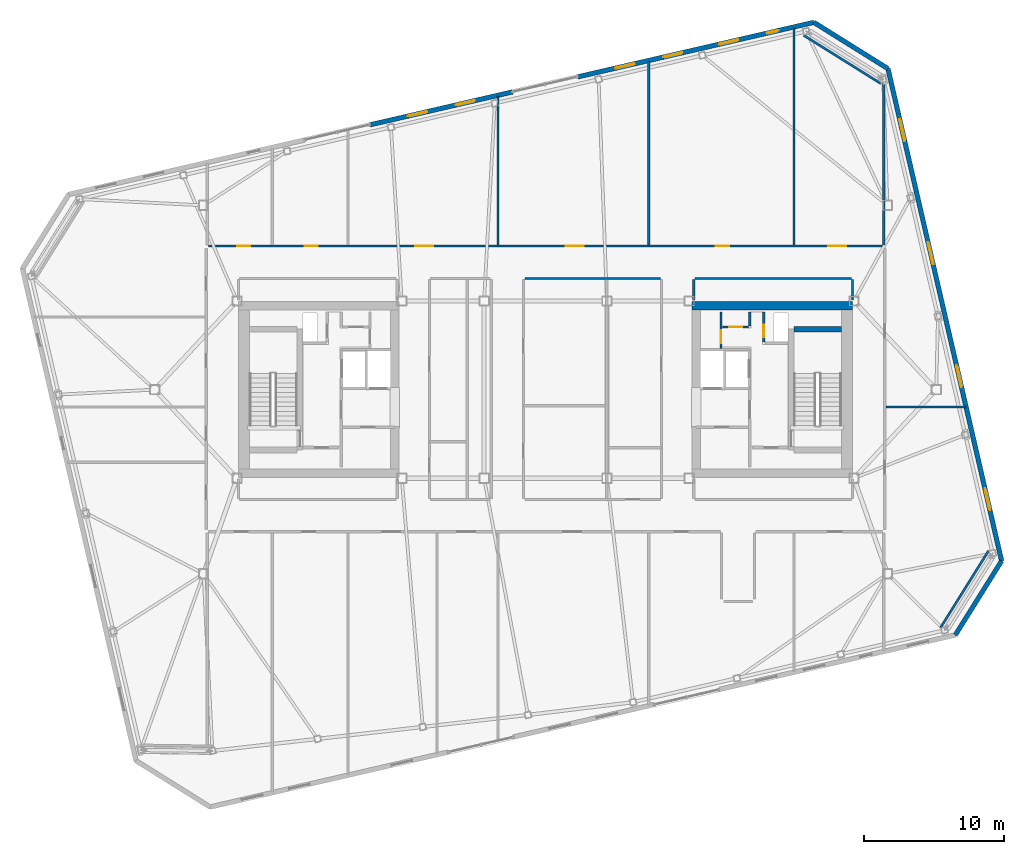
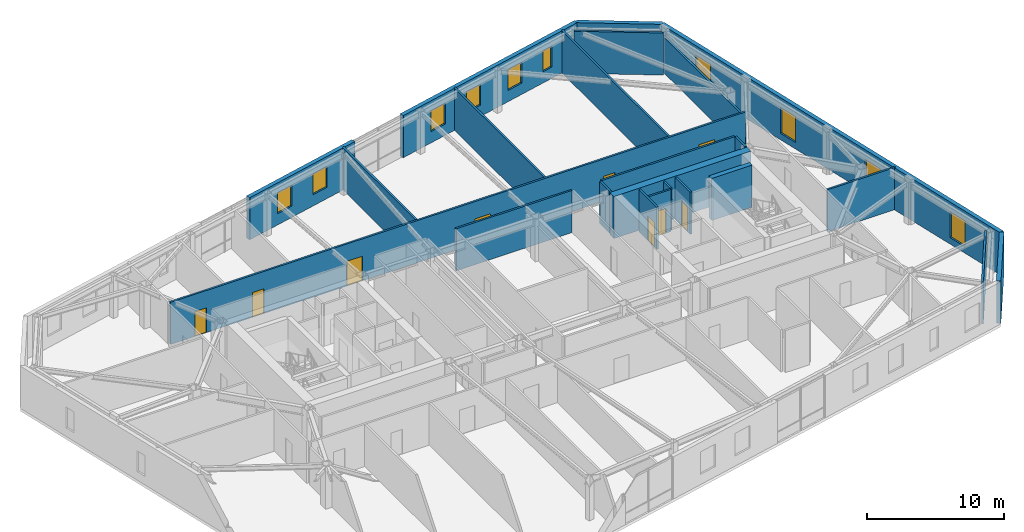
# One storey, part 19 of 23: 23 walls, 10 windows, 9 doors, 19 openings.
"""IFC4 building model written with IfcOpenShell, lengths in metres."""

from ifc_helpers import new_model, si_unit, direction, frame, frame_2d, origin, place, context, subcontext, project, spatial, rectangle, extrude, material, layer, layer_set, type_object, element, fill, save


model = new_model("IFC4")

# Units and contexts
model_context = context("Model", 3, precision=1e-05, world=origin(), true_north=direction((0.0, 1.0)))
body_context = subcontext(model_context, "Body", "Model", "MODEL_VIEW")
ifc_project = project(units=[si_unit("LENGTHUNIT", "METRE"), si_unit("AREAUNIT", "SQUARE_METRE"), si_unit("VOLUMEUNIT", "CUBIC_METRE"), si_unit("PLANEANGLEUNIT", "RADIAN"), si_unit("MASSUNIT", "GRAM", prefix="KILO")], contexts=[model_context])

# Site, building, storey
site_placement = place(None, origin())
site = spatial("IfcSite", under=ifc_project, at=site_placement, CompositionType="ELEMENT")
building_placement = place(site_placement, origin())
building = spatial("IfcBuilding", under=site, at=building_placement, Name="Tavrogorsk Clinical Tower", CompositionType="ELEMENT")
storey_placement = place(building_placement, frame((0.0, 0.0, 301.0)))
storey = spatial("IfcBuildingStorey", under=building, at=storey_placement, Name="L70", CompositionType="ELEMENT", Elevation=301.0)

# Wall, opening, door
ifc_material_1 = material(Name="Lightweight concrete blockwork B15", Category="masonry")
ifc_layer_1 = layer(ifc_material_1, 0.159912109375)
ifc_layer_set_1 = layer_set([ifc_layer_1], Name="Lightweight concrete blockwork B15")
wall_type_1 = type_object("IfcWallType", Name="PartitionWall_160", PredefinedType="PARTITIONING", material=ifc_layer_set_1)
wall_1_placement = place(storey_placement, frame((12.580078125, 2.9599609375, 0.0), z_axis=(0.0, 0.0, 1.0), x_axis=(0.0, 1.0, 0.0)))
wall_1 = element("IfcWall", 1, at=wall_1_placement, inside=storey, type_object=wall_type_1, Name="L70 Core East Linen Closet Wall", PredefinedType="PARTITIONING", context=body_context, shape_type="SweptSolid", body=[
    extrude(rectangle(XDim=2.60009765625, YDim=0.159912109375, at=frame_2d((1.300048828125, 0.0))), origin(), (0.0, 0.0, 1.0), 3.739990234375),
])
opening_1_placement = place(wall_1_placement, frame((0.35009765625, 0.0, 0.0)))
opening_1 = element("IfcOpeningElement", 2, at=opening_1_placement, cuts=wall_1, Name="Opening ID-02", PredefinedType="OPENING", context=body_context, shape_type="SweptSolid", body=[
    extrude(rectangle(XDim=0.949951171875, YDim=2.199951171875, at=frame_2d((0.47509765625, 1.10009765625))), frame((0.0, 0.08984375, 0.0), z_axis=(0.0, -1.0, 0.0), x_axis=(1.0, 0.0, 0.0)), (0.0, 0.0, 1.0), 0.179931640625),
])
ifc_material_2 = material(Name="Laminated timber leaf on aluminium frame", Category="wood")
door_type_1 = type_object("IfcDoorType", Name="InteriorDoor_ID02_950", OperationType="NOTDEFINED", PredefinedType="DOOR", material=ifc_material_2)
door_1_placement = place(opening_1_placement, origin())
door_1 = element("IfcDoor", 3, at=door_1_placement, inside=storey, type_object=door_type_1, Name="L70 Core East Linen Closet Door", OperationType="SINGLE_SWING_RIGHT", OverallHeight=2.199951171875, OverallWidth=0.949951171875, PredefinedType="DOOR", context=body_context, shape_type="SweptSolid", body=[
    extrude(rectangle(XDim=0.949951171875, YDim=2.199951171875, at=frame_2d((0.47509765625, 1.10009765625))), frame((0.0, 0.02490234375, 0.0), z_axis=(0.0, -1.0, 0.0), x_axis=(1.0, 0.0, 0.0)), (0.0, 0.0, 1.0), 0.050048828125),
])
fill(opening_1, door_1)

wall_2_placement = place(storey_placement, frame((12.6650390625, 4.47998046875, 0.0), z_axis=(0.0, 0.0, 1.0), x_axis=(1.0, 0.0, 0.0)))
wall_2 = element("IfcWall", 4, at=wall_2_placement, inside=storey, type_object=wall_type_1, Name="L70 Core East Housekeeping South Wall", PredefinedType="PARTITIONING", context=body_context, shape_type="SweptSolid", body=[
    extrude(rectangle(XDim=1.889892578125, YDim=0.159912109375, at=frame_2d((0.94482421875, 0.0))), origin(), (0.0, 0.0, 1.0), 3.739990234375),
])
opening_2_placement = place(wall_2_placement, frame((0.5, 0.0, 0.0)))
opening_2 = element("IfcOpeningElement", 5, at=opening_2_placement, cuts=wall_2, Name="Opening ID-02", PredefinedType="OPENING", context=body_context, shape_type="SweptSolid", body=[
    extrude(rectangle(XDim=0.949951171875, YDim=2.199951171875, at=frame_2d((0.47509765625, 1.10009765625))), frame((0.0, 0.08984375, 0.0), z_axis=(0.0, -1.0, 0.0), x_axis=(1.0, 0.0, 0.0)), (0.0, 0.0, 1.0), 0.179931640625),
])
door_2_placement = place(opening_2_placement, origin())
door_2 = element("IfcDoor", 6, at=door_2_placement, inside=storey, type_object=door_type_1, Name="L70 Core East Housekeeping Closet Door", OperationType="SINGLE_SWING_LEFT", OverallHeight=2.199951171875, OverallWidth=0.949951171875, PredefinedType="DOOR", context=body_context, shape_type="SweptSolid", body=[
    extrude(rectangle(XDim=0.949951171875, YDim=2.199951171875, at=frame_2d((0.47509765625, 1.10009765625))), frame((0.0, 0.02490234375, 0.0), z_axis=(0.0, -1.0, 0.0), x_axis=(1.0, 0.0, 0.0)), (0.0, 0.0, 1.0), 0.050048828125),
])
fill(opening_2, door_2)

# Walls
wall_3_placement = place(storey_placement, frame((14.639892578125, 4.56494140625, 0.0), z_axis=(0.0, 0.0, 1.0), x_axis=(0.0, 1.0, 0.0)))
element("IfcWall", 7, at=wall_3_placement, inside=storey, type_object=wall_type_1, Name="L70 Core East Housekeeping East Wall", PredefinedType="PARTITIONING", context=body_context, shape_type="SweptSolid", body=[
    extrude(rectangle(XDim=0.9951171875, YDim=0.159912109375, at=frame_2d((0.49755859375, 0.0))), origin(), (0.0, 0.0, 1.0), 3.739990234375),
])
for number, where, z_axis, x_axis, name in (
    (8, (28.30029296875, -17.064697265625, 0.0), (0.0, 0.0, 1.0), (0.529914601736, 0.848051009591, 0.0), "L70 Corner Exoskeleton Brace Furring Wall 1"),
    (9, (24.018310546875, 21.9306640625, 0.0), (0.0, 0.0, 1.0), (-0.848051009591, 0.529914601736, 0.0), "L70 Corner Exoskeleton Brace Furring Wall 2"),
):
    element("IfcWall", number, at=place(storey_placement, frame(where, z_axis=z_axis, x_axis=x_axis)), inside=storey, type_object=wall_type_1, Name=name, PredefinedType="PARTITIONING", context=body_context, shape_type="SweptSolid", body=[
        extrude(rectangle(XDim=6.50537109375, YDim=0.159912109375, at=frame_2d((3.252685546875, 0.0))), origin(), (0.0, 0.0, 1.0), 3.739990234375),
    ])

# Wall, openings, doors
wall_4_placement = place(storey_placement, frame((-24.14501953125, 10.280029296875, 0.0), z_axis=(0.0, 0.0, 1.0), x_axis=(1.0, 0.0, 0.0)))
wall_4 = element("IfcWall", 10, at=wall_4_placement, inside=storey, type_object=wall_type_1, Name="L70 Corridor Partition 02", PredefinedType="PARTITIONING", context=body_context, shape_type="SweptSolid", body=[
    extrude(rectangle(XDim=48.2900390625, YDim=0.159912109375, at=frame_2d((24.14501953125, 0.0))), origin(), (0.0, 0.0, 1.0), 3.739990234375),
])
opening_3_placement = place(wall_4_placement, frame((2.044189453125, 0.0, 0.0)))
opening_3 = element("IfcOpeningElement", 11, at=opening_3_placement, cuts=wall_4, Name="Opening ID-02", PredefinedType="OPENING", context=body_context, shape_type="SweptSolid", body=[
    extrude(rectangle(XDim=0.949951171875, YDim=2.199951171875, at=frame_2d((0.47509765625, 1.10009765625))), frame((0.0, 0.08984375, 0.0), z_axis=(0.0, -1.0, 0.0), x_axis=(1.0, 0.0, 0.0)), (0.0, 0.0, 1.0), 0.179931640625),
])
opening_4_placement = place(wall_4_placement, frame((6.885009765625, 0.0, 0.0)))
opening_4 = element("IfcOpeningElement", 12, at=opening_4_placement, cuts=wall_4, Name="Opening ID-02", PredefinedType="OPENING", context=body_context, shape_type="SweptSolid", body=[
    extrude(rectangle(XDim=0.949951171875, YDim=2.199951171875, at=frame_2d((0.47509765625, 1.10009765625))), frame((0.0, 0.08984375, 0.0), z_axis=(0.0, -1.0, 0.0), x_axis=(1.0, 0.0, 0.0)), (0.0, 0.0, 1.0), 0.179931640625),
])
opening_5_placement = place(wall_4_placement, frame((14.800048828125, 0.0, 0.0)))
opening_5 = element("IfcOpeningElement", 13, at=opening_5_placement, cuts=wall_4, Name="Opening ID-01", PredefinedType="OPENING", context=body_context, shape_type="SweptSolid", body=[
    extrude(rectangle(XDim=1.300048828125, YDim=2.199951171875, at=frame_2d((0.64990234375, 1.10009765625))), frame((0.0, 0.08984375, 0.0), z_axis=(0.0, -1.0, 0.0), x_axis=(1.0, 0.0, 0.0)), (0.0, 0.0, 1.0), 0.179931640625),
])
opening_6_placement = place(wall_4_placement, frame((25.580078125, 0.0, 0.0)))
opening_6 = element("IfcOpeningElement", 14, at=opening_6_placement, cuts=wall_4, Name="Opening ID-01", PredefinedType="OPENING", context=body_context, shape_type="SweptSolid", body=[
    extrude(rectangle(XDim=1.300048828125, YDim=2.199951171875, at=frame_2d((0.64990234375, 1.10009765625))), frame((0.0, 0.08984375, 0.0), z_axis=(0.0, -1.0, 0.0), x_axis=(1.0, 0.0, 0.0)), (0.0, 0.0, 1.0), 0.179931640625),
])
opening_7_placement = place(wall_4_placement, frame((36.35498046875, 0.0, 0.0)))
opening_7 = element("IfcOpeningElement", 15, at=opening_7_placement, cuts=wall_4, Name="Opening ID-02", PredefinedType="OPENING", context=body_context, shape_type="SweptSolid", body=[
    extrude(rectangle(XDim=0.949951171875, YDim=2.199951171875, at=frame_2d((0.47509765625, 1.10009765625))), frame((0.0, 0.08984375, 0.0), z_axis=(0.0, -1.0, 0.0), x_axis=(1.0, 0.0, 0.0)), (0.0, 0.0, 1.0), 0.179931640625),
])
opening_8_placement = place(wall_4_placement, frame((44.40087890625, 0.0, 0.0)))
opening_8 = element("IfcOpeningElement", 16, at=opening_8_placement, cuts=wall_4, Name="Opening ID-01", PredefinedType="OPENING", context=body_context, shape_type="SweptSolid", body=[
    extrude(rectangle(XDim=1.300048828125, YDim=2.199951171875, at=frame_2d((0.64990234375, 1.10009765625))), frame((0.0, 0.08984375, 0.0), z_axis=(0.0, -1.0, 0.0), x_axis=(1.0, 0.0, 0.0)), (0.0, 0.0, 1.0), 0.179931640625),
])
door_3_placement = place(opening_3_placement, origin())
door_3 = element("IfcDoor", 17, at=door_3_placement, inside=storey, type_object=door_type_1, Name="L70 North Physician Consultation Office 01 Door", OperationType="SINGLE_SWING_LEFT", OverallHeight=2.199951171875, OverallWidth=0.949951171875, PredefinedType="DOOR", context=body_context, shape_type="SweptSolid", body=[
    extrude(rectangle(XDim=0.949951171875, YDim=2.199951171875, at=frame_2d((0.47509765625, 1.10009765625))), frame((0.0, 0.02490234375, 0.0), z_axis=(0.0, -1.0, 0.0), x_axis=(1.0, 0.0, 0.0)), (0.0, 0.0, 1.0), 0.050048828125),
])
fill(opening_3, door_3)
door_4_placement = place(opening_4_placement, origin())
door_4 = element("IfcDoor", 18, at=door_4_placement, inside=storey, type_object=door_type_1, Name="L70 North Patient & Family Quiet Lounge 02 Door", OperationType="SINGLE_SWING_RIGHT", OverallHeight=2.199951171875, OverallWidth=0.949951171875, PredefinedType="DOOR", context=body_context, shape_type="SweptSolid", body=[
    extrude(rectangle(XDim=0.949951171875, YDim=2.199951171875, at=frame_2d((0.47509765625, 1.10009765625))), frame((0.0, 0.02490234375, 0.0), z_axis=(0.0, -1.0, 0.0), x_axis=(1.0, 0.0, 0.0)), (0.0, 0.0, 1.0), 0.050048828125),
])
fill(opening_4, door_4)
door_5_placement = place(opening_7_placement, origin())
door_5 = element("IfcDoor", 19, at=door_5_placement, inside=storey, type_object=door_type_1, Name="L70 North Multidisciplinary Case Room 05 Door", OperationType="SINGLE_SWING_LEFT", OverallHeight=2.199951171875, OverallWidth=0.949951171875, PredefinedType="DOOR", context=body_context, shape_type="SweptSolid", body=[
    extrude(rectangle(XDim=0.949951171875, YDim=2.199951171875, at=frame_2d((0.47509765625, 1.10009765625))), frame((0.0, 0.02490234375, 0.0), z_axis=(0.0, -1.0, 0.0), x_axis=(1.0, 0.0, 0.0)), (0.0, 0.0, 1.0), 0.050048828125),
])
fill(opening_7, door_5)
ifc_material_3 = material(Name="Antibacterial HPL medical leaf on aluminium frame", Category="aluminium")
door_type_2 = type_object("IfcDoorType", Name="WardBedDoor_ID01_1300", OperationType="NOTDEFINED", PredefinedType="DOOR", material=ifc_material_3)
door_6_placement = place(opening_5_placement, origin())
door_6 = element("IfcDoor", 20, at=door_6_placement, inside=storey, type_object=door_type_2, Name="L70 North Acute Isolation Suite 03 Door", OperationType="SINGLE_SWING_LEFT", OverallHeight=2.199951171875, OverallWidth=1.300048828125, PredefinedType="DOOR", context=body_context, shape_type="SweptSolid", body=[
    extrude(rectangle(XDim=1.300048828125, YDim=2.199951171875, at=frame_2d((0.64990234375, 1.10009765625))), frame((0.0, 0.02490234375, 0.0), z_axis=(0.0, -1.0, 0.0), x_axis=(1.0, 0.0, 0.0)), (0.0, 0.0, 1.0), 0.050048828125),
])
fill(opening_5, door_6)
door_7_placement = place(opening_6_placement, origin())
door_7 = element("IfcDoor", 21, at=door_7_placement, inside=storey, type_object=door_type_2, Name="L70 North Sub-Acute Recovery Ward 04 Door", OperationType="SINGLE_SWING_RIGHT", OverallHeight=2.199951171875, OverallWidth=1.300048828125, PredefinedType="DOOR", context=body_context, shape_type="SweptSolid", body=[
    extrude(rectangle(XDim=1.300048828125, YDim=2.199951171875, at=frame_2d((0.64990234375, 1.10009765625))), frame((0.0, 0.02490234375, 0.0), z_axis=(0.0, -1.0, 0.0), x_axis=(1.0, 0.0, 0.0)), (0.0, 0.0, 1.0), 0.050048828125),
])
fill(opening_6, door_7)
door_8_placement = place(opening_8_placement, origin())
door_8 = element("IfcDoor", 22, at=door_8_placement, inside=storey, type_object=door_type_2, Name="L70 North Inpatient Clinical Ward 06 Door", OperationType="SINGLE_SWING_RIGHT", OverallHeight=2.199951171875, OverallWidth=1.300048828125, PredefinedType="DOOR", context=body_context, shape_type="SweptSolid", body=[
    extrude(rectangle(XDim=1.300048828125, YDim=2.199951171875, at=frame_2d((0.64990234375, 1.10009765625))), frame((0.0, 0.02490234375, 0.0), z_axis=(0.0, -1.0, 0.0), x_axis=(1.0, 0.0, 0.0)), (0.0, 0.0, 1.0), 0.050048828125),
])
fill(opening_8, door_8)

# Walls
wall_5_placement = place(storey_placement, frame((21.9150390625, 7.969970703125, 0.0), z_axis=(0.0, 0.0, 1.0), x_axis=(-1.0, 0.0, 0.0)))
element("IfcWall", 23, at=wall_5_placement, inside=storey, type_object=wall_type_1, Name="L70 Corridor Partition 09", PredefinedType="PARTITIONING", context=body_context, shape_type="SweptSolid", body=[
    extrude(rectangle(XDim=11.199951171875, YDim=0.159912109375, at=frame_2d((5.60009765625, 0.0))), origin(), (0.0, 0.0, 1.0), 3.739990234375),
])
for number, where, z_axis, x_axis, name in (
    (24, (10.6298828125, 7.885009765625, 0.0), (0.0, 0.0, 1.0), (0.0, -1.0, 0.0), "L70 Corridor Partition 10"),
    (25, (22.0, 6.419921875, 0.0), (0.0, 0.0, 1.0), (0.0, 1.0, 0.0), "L70 Corridor Partition 14"),
):
    element("IfcWall", number, at=place(storey_placement, frame(where, z_axis=z_axis, x_axis=x_axis)), inside=storey, type_object=wall_type_1, Name=name, PredefinedType="PARTITIONING", context=body_context, shape_type="SweptSolid", body=[
        extrude(rectangle(XDim=1.465087890625, YDim=0.159912109375, at=frame_2d((0.732421875, 0.0))), origin(), (0.0, 0.0, 1.0), 3.739990234375),
    ])
wall_6_placement = place(storey_placement, frame((8.235107421875, 7.969970703125, 0.0), z_axis=(0.0, 0.0, 1.0), x_axis=(-1.0, 0.0, 0.0)))
element("IfcWall", 26, at=wall_6_placement, inside=storey, type_object=wall_type_1, Name="L70 Corridor Partition 15", PredefinedType="PARTITIONING", context=body_context, shape_type="SweptSolid", body=[
    extrude(rectangle(XDim=9.72021484375, YDim=0.159912109375, at=frame_2d((4.860107421875, 0.0))), origin(), (0.0, 0.0, 1.0), 3.739990234375),
])
wall_7_placement = place(storey_placement, frame((24.22998046875, 10.364990234375, 0.0), z_axis=(0.0, 0.0, 1.0), x_axis=(0.0, 1.0, 0.0)))
element("IfcWall", 27, at=wall_7_placement, inside=storey, type_object=wall_type_1, Name="L70 NE Wing Closure Partition", PredefinedType="PARTITIONING", context=body_context, shape_type="SweptSolid", body=[
    extrude(rectangle(XDim=12.206298828125, YDim=0.159912109375, at=frame_2d((6.10302734375, 0.0))), origin(), (0.0, 0.0, 1.0), 3.18505859375),
])
wall_8_placement = place(storey_placement, frame((-3.39990234375, 10.364990234375, 0.0), z_axis=(0.0, 0.0, 1.0), x_axis=(0.0, 1.0, 0.0)))
element("IfcWall", 28, at=wall_8_placement, inside=storey, type_object=wall_type_1, Name="L70 North Room Partition 3", PredefinedType="PARTITIONING", context=body_context, shape_type="SweptSolid", body=[
    extrude(rectangle(XDim=10.655029296875, YDim=0.159912109375, at=frame_2d((5.32763671875, 0.0))), origin(), (0.0, 0.0, 1.0), 3.739990234375),
])
wall_9_placement = place(storey_placement, frame((7.39990234375, 10.364990234375, 0.0), z_axis=(0.0, 0.0, 1.0), x_axis=(0.0, 1.0, 0.0)))
element("IfcWall", 29, at=wall_9_placement, inside=storey, type_object=wall_type_1, Name="L70 North Room Partition 4", PredefinedType="PARTITIONING", context=body_context, shape_type="SweptSolid", body=[
    extrude(rectangle(XDim=13.148193359375, YDim=0.159912109375, at=frame_2d((6.57421875, 0.0))), origin(), (0.0, 0.0, 1.0), 3.739990234375),
])
wall_10_placement = place(storey_placement, frame((17.800048828125, 10.364990234375, 0.0), z_axis=(0.0, 0.0, 1.0), x_axis=(0.0, 1.0, 0.0)))
element("IfcWall", 30, at=wall_10_placement, inside=storey, type_object=wall_type_1, Name="L70 North Room Partition 5", PredefinedType="PARTITIONING", context=body_context, shape_type="SweptSolid", body=[
    extrude(rectangle(XDim=15.54931640625, YDim=0.159912109375, at=frame_2d((7.774658203125, 0.0))), origin(), (0.0, 0.0, 1.0), 3.739990234375),
])
wall_11_placement = place(storey_placement, frame((24.39501953125, -1.25, 0.0), z_axis=(0.0, 0.0, 1.0), x_axis=(1.0, 0.0, 0.0)))
element("IfcWall", 31, at=wall_11_placement, inside=storey, type_object=wall_type_1, Name="L70 E Wing Divider 1", PredefinedType="PARTITIONING", context=body_context, shape_type="SweptSolid", body=[
    extrude(rectangle(XDim=5.724853515625, YDim=0.159912109375, at=frame_2d((2.8623046875, 0.0))), origin(), (0.0, 0.0, 1.0), 3.739990234375),
])

# Wall, openings, windows
ifc_material_4 = material(Name="Precast concrete B45 with limestone cladding", Category="masonry")
ifc_layer_2 = layer(ifc_material_4, 0.340087890625)
ifc_layer_set_2 = layer_set([ifc_layer_2], Name="Precast concrete B45 with limestone cladding")
wall_type_2 = type_object("IfcWallType", Name="PrecastLimestoneWall_340", PredefinedType="STANDARD", material=ifc_layer_set_2)
wall_12_placement = place(storey_placement, frame((19.2294921875, 26.316162109375, 0.0), z_axis=(0.0, 0.0, 1.0), x_axis=(-0.974372473594, -0.224940620392, 0.0)))
wall_12 = element("IfcWall", 32, at=wall_12_placement, inside=storey, type_object=wall_type_2, Name="L70 N Limestone Facade Wall 1", PredefinedType="STANDARD", context=body_context, shape_type="SweptSolid", body=[
    extrude(rectangle(XDim=17.36572265625, YDim=0.340087890625, at=frame_2d((8.682861328125, 0.0))), origin(), (0.0, 0.0, 1.0), 3.739990234375),
])
opening_9_placement = place(wall_12_placement, frame((13.187255859375, 0.0, 1.0)))
opening_9 = element("IfcOpeningElement", 33, at=opening_9_placement, cuts=wall_12, Name="Opening WN-17", PredefinedType="OPENING", context=body_context, shape_type="SweptSolid", body=[
    extrude(rectangle(XDim=1.39990234375, YDim=1.85009765625, at=frame_2d((0.699951171875, 0.925048828125))), frame((0.0, 0.179931640625, 0.0), z_axis=(0.0, -1.0, 0.0), x_axis=(1.0, 0.0, 0.0)), (0.0, 0.0, 1.0), 0.360107421875),
])
opening_10_placement = place(wall_12_placement, frame((9.675537109375, 0.0, 1.0)))
opening_10 = element("IfcOpeningElement", 34, at=opening_10_placement, cuts=wall_12, Name="Opening WN-17", PredefinedType="OPENING", context=body_context, shape_type="SweptSolid", body=[
    extrude(rectangle(XDim=1.39990234375, YDim=1.85009765625, at=frame_2d((0.699951171875, 0.925048828125))), frame((0.0, 0.179931640625, 0.0), z_axis=(0.0, -1.0, 0.0), x_axis=(1.0, 0.0, 0.0)), (0.0, 0.0, 1.0), 0.360107421875),
])
opening_11_placement = place(wall_12_placement, frame((5.552978515625, 0.0, 1.0)))
opening_11 = element("IfcOpeningElement", 35, at=opening_11_placement, cuts=wall_12, Name="Opening WN-17", PredefinedType="OPENING", context=body_context, shape_type="SweptSolid", body=[
    extrude(rectangle(XDim=1.39990234375, YDim=1.85009765625, at=frame_2d((0.699951171875, 0.925048828125))), frame((0.0, 0.179931640625, 0.0), z_axis=(0.0, -1.0, 0.0), x_axis=(1.0, 0.0, 0.0)), (0.0, 0.0, 1.0), 0.360107421875),
])
opening_12_placement = place(wall_12_placement, frame((2.59130859375, 0.0, 1.0)))
opening_12 = element("IfcOpeningElement", 36, at=opening_12_placement, cuts=wall_12, Name="Opening WN-06", PredefinedType="OPENING", context=body_context, shape_type="SweptSolid", body=[
    extrude(rectangle(XDim=0.85009765625, YDim=1.85009765625, at=frame_2d((0.425048828125, 0.925048828125))), frame((0.0, 0.179931640625, 0.0), z_axis=(0.0, -1.0, 0.0), x_axis=(1.0, 0.0, 0.0)), (0.0, 0.0, 1.0), 0.360107421875),
])
ifc_material_5 = material(Name="Thermally broken aluminium frame and triple IGU", Category="aluminium")
window_type_1 = type_object("IfcWindowType", Name="MullionSubWin_850x1850", PartitioningType="SINGLE_PANEL", PredefinedType="WINDOW", material=ifc_material_5)
window_1_placement = place(opening_12_placement, origin())
window_1 = element("IfcWindow", 37, at=window_1_placement, inside=storey, type_object=window_type_1, Name="L70 N Mullion Split Window 10B", OverallHeight=1.85009765625, OverallWidth=0.85009765625, PartitioningType="SINGLE_PANEL", PredefinedType="WINDOW", context=body_context, shape_type="SweptSolid", body=[
    extrude(rectangle(XDim=0.85009765625, YDim=1.85009765625, at=frame_2d((0.425048828125, 0.925048828125))), frame((0.0, 0.030029296875, 0.0), z_axis=(0.0, -1.0, 0.0), x_axis=(1.0, 0.0, 0.0)), (0.0, 0.0, 1.0), 0.06005859375),
])
fill(opening_12, window_1)
ifc_material_6 = material(Name="Thermally broken aluminium frame and triple IGU", Category="aluminium")
window_type_2 = type_object("IfcWindowType", Name="TelemetryWin_1400x1850", PartitioningType="SINGLE_PANEL", PredefinedType="WINDOW", material=ifc_material_6)
window_2_placement = place(opening_9_placement, origin())
window_2 = element("IfcWindow", 38, at=window_2_placement, inside=storey, type_object=window_type_2, Name="L70 N Chicago Window 07", OverallHeight=1.85009765625, OverallWidth=1.39990234375, PartitioningType="SINGLE_PANEL", PredefinedType="WINDOW", context=body_context, shape_type="SweptSolid", body=[
    extrude(rectangle(XDim=1.39990234375, YDim=1.85009765625, at=frame_2d((0.699951171875, 0.925048828125))), frame((0.0, 0.030029296875, 0.0), z_axis=(0.0, -1.0, 0.0), x_axis=(1.0, 0.0, 0.0)), (0.0, 0.0, 1.0), 0.06005859375),
])
fill(opening_9, window_2)
window_3_placement = place(opening_10_placement, origin())
window_3 = element("IfcWindow", 39, at=window_3_placement, inside=storey, type_object=window_type_2, Name="L70 N Chicago Window 08", OverallHeight=1.85009765625, OverallWidth=1.39990234375, PartitioningType="SINGLE_PANEL", PredefinedType="WINDOW", context=body_context, shape_type="SweptSolid", body=[
    extrude(rectangle(XDim=1.39990234375, YDim=1.85009765625, at=frame_2d((0.699951171875, 0.925048828125))), frame((0.0, 0.030029296875, 0.0), z_axis=(0.0, -1.0, 0.0), x_axis=(1.0, 0.0, 0.0)), (0.0, 0.0, 1.0), 0.06005859375),
])
fill(opening_10, window_3)
window_4_placement = place(opening_11_placement, origin())
window_4 = element("IfcWindow", 40, at=window_4_placement, inside=storey, type_object=window_type_2, Name="L70 N Chicago Window 09", OverallHeight=1.85009765625, OverallWidth=1.39990234375, PartitioningType="SINGLE_PANEL", PredefinedType="WINDOW", context=body_context, shape_type="SweptSolid", body=[
    extrude(rectangle(XDim=1.39990234375, YDim=1.85009765625, at=frame_2d((0.699951171875, 0.925048828125))), frame((0.0, 0.030029296875, 0.0), z_axis=(0.0, -1.0, 0.0), x_axis=(1.0, 0.0, 0.0)), (0.0, 0.0, 1.0), 0.06005859375),
])
fill(opening_11, window_4)

wall_13_placement = place(storey_placement, frame((-2.3681640625, 21.330078125, 0.0), z_axis=(0.0, 0.0, 1.0), x_axis=(-0.974367213107, -0.224963405961, 0.0)))
wall_13 = element("IfcWall", 41, at=wall_13_placement, inside=storey, type_object=wall_type_2, Name="L70 N Limestone Facade Wall 2", PredefinedType="STANDARD", context=body_context, shape_type="SweptSolid", body=[
    extrude(rectangle(XDim=10.46826171875, YDim=0.340087890625, at=frame_2d((5.234130859375, 0.0))), origin(), (0.0, 0.0, 1.0), 3.739990234375),
])
opening_13_placement = place(wall_13_placement, frame((6.2900390625, 0.0, 1.0)))
opening_13 = element("IfcOpeningElement", 42, at=opening_13_placement, cuts=wall_13, Name="Opening WN-17", PredefinedType="OPENING", context=body_context, shape_type="SweptSolid", body=[
    extrude(rectangle(XDim=1.39990234375, YDim=1.85009765625, at=frame_2d((0.699951171875, 0.925048828125))), frame((0.0, 0.179931640625, 0.0), z_axis=(0.0, -1.0, 0.0), x_axis=(1.0, 0.0, 0.0)), (0.0, 0.0, 1.0), 0.360107421875),
])
opening_14_placement = place(wall_13_placement, frame((2.7783203125, 0.0, 1.0)))
opening_14 = element("IfcOpeningElement", 43, at=opening_14_placement, cuts=wall_13, Name="Opening WN-17", PredefinedType="OPENING", context=body_context, shape_type="SweptSolid", body=[
    extrude(rectangle(XDim=1.39990234375, YDim=1.85009765625, at=frame_2d((0.699951171875, 0.925048828125))), frame((0.0, 0.179931640625, 0.0), z_axis=(0.0, -1.0, 0.0), x_axis=(1.0, 0.0, 0.0)), (0.0, 0.0, 1.0), 0.360107421875),
])
window_5_placement = place(opening_13_placement, origin())
window_5 = element("IfcWindow", 44, at=window_5_placement, inside=storey, type_object=window_type_2, Name="L70 N Chicago Window 05", OverallHeight=1.85009765625, OverallWidth=1.39990234375, PartitioningType="SINGLE_PANEL", PredefinedType="WINDOW", context=body_context, shape_type="SweptSolid", body=[
    extrude(rectangle(XDim=1.39990234375, YDim=1.85009765625, at=frame_2d((0.699951171875, 0.925048828125))), frame((0.0, 0.030029296875, 0.0), z_axis=(0.0, -1.0, 0.0), x_axis=(1.0, 0.0, 0.0)), (0.0, 0.0, 1.0), 0.06005859375),
])
fill(opening_13, window_5)
window_6_placement = place(opening_14_placement, origin())
window_6 = element("IfcWindow", 45, at=window_6_placement, inside=storey, type_object=window_type_2, Name="L70 N Chicago Window 06", OverallHeight=1.85009765625, OverallWidth=1.39990234375, PartitioningType="SINGLE_PANEL", PredefinedType="WINDOW", context=body_context, shape_type="SweptSolid", body=[
    extrude(rectangle(XDim=1.39990234375, YDim=1.85009765625, at=frame_2d((0.699951171875, 0.925048828125))), frame((0.0, 0.030029296875, 0.0), z_axis=(0.0, -1.0, 0.0), x_axis=(1.0, 0.0, 0.0)), (0.0, 0.0, 1.0), 0.06005859375),
])
fill(opening_14, window_6)

wall_14_placement = place(storey_placement, frame((32.685791015625, -12.27587890625, 0.0), z_axis=(0.0, 0.0, 1.0), x_axis=(-0.224953091034, 0.974369594576, 0.0)))
wall_14 = element("IfcWall", 46, at=wall_14_placement, inside=storey, type_object=wall_type_2, Name="L70 E Pleated Limestone Wing Wall", PredefinedType="STANDARD", context=body_context, shape_type="SweptSolid", body=[
    extrude(rectangle(XDim=36.199951171875, YDim=0.340087890625, at=frame_2d((18.10009765625, 0.0))), origin(), (0.0, 0.0, 1.0), 3.739990234375),
])
opening_15_placement = place(wall_14_placement, frame((3.72509765625, 0.0, 0.580078125)))
opening_15 = element("IfcOpeningElement", 47, at=opening_15_placement, cuts=wall_14, Name="Opening WN-07", PredefinedType="OPENING", context=body_context, shape_type="SweptSolid", body=[
    extrude(rectangle(XDim=1.60009765625, YDim=2.300048828125, at=frame_2d((0.800048828125, 1.14990234375))), frame((0.0, 0.179931640625, 0.0), z_axis=(0.0, -1.0, 0.0), x_axis=(1.0, 0.0, 0.0)), (0.0, 0.0, 1.0), 0.360107421875),
])
opening_16_placement = place(wall_14_placement, frame((12.77490234375, 0.0, 0.580078125)))
opening_16 = element("IfcOpeningElement", 48, at=opening_16_placement, cuts=wall_14, Name="Opening WN-07", PredefinedType="OPENING", context=body_context, shape_type="SweptSolid", body=[
    extrude(rectangle(XDim=1.60009765625, YDim=2.300048828125, at=frame_2d((0.800048828125, 1.14990234375))), frame((0.0, 0.179931640625, 0.0), z_axis=(0.0, -1.0, 0.0), x_axis=(1.0, 0.0, 0.0)), (0.0, 0.0, 1.0), 0.360107421875),
])
opening_17_placement = place(wall_14_placement, frame((21.824951171875, 0.0, 0.580078125)))
opening_17 = element("IfcOpeningElement", 49, at=opening_17_placement, cuts=wall_14, Name="Opening WN-07", PredefinedType="OPENING", context=body_context, shape_type="SweptSolid", body=[
    extrude(rectangle(XDim=1.60009765625, YDim=2.300048828125, at=frame_2d((0.800048828125, 1.14990234375))), frame((0.0, 0.179931640625, 0.0), z_axis=(0.0, -1.0, 0.0), x_axis=(1.0, 0.0, 0.0)), (0.0, 0.0, 1.0), 0.360107421875),
])
opening_18_placement = place(wall_14_placement, frame((30.875, 0.0, 0.580078125)))
opening_18 = element("IfcOpeningElement", 50, at=opening_18_placement, cuts=wall_14, Name="Opening WN-07", PredefinedType="OPENING", context=body_context, shape_type="SweptSolid", body=[
    extrude(rectangle(XDim=1.60009765625, YDim=2.300048828125, at=frame_2d((0.800048828125, 1.14990234375))), frame((0.0, 0.179931640625, 0.0), z_axis=(0.0, -1.0, 0.0), x_axis=(1.0, 0.0, 0.0)), (0.0, 0.0, 1.0), 0.360107421875),
])
ifc_material_7 = material(Name="Thermally broken aluminium frame and triple IGU", Category="aluminium")
window_type_3 = type_object("IfcWindowType", Name="PleatSlotWin_1600x2300", PartitioningType="SINGLE_PANEL", PredefinedType="WINDOW", material=ifc_material_7)
window_7_placement = place(opening_15_placement, origin())
window_7 = element("IfcWindow", 51, at=window_7_placement, inside=storey, type_object=window_type_3, Name="L70 E Pleat Slot Window 1", OverallHeight=2.300048828125, OverallWidth=1.60009765625, PartitioningType="SINGLE_PANEL", PredefinedType="WINDOW", context=body_context, shape_type="SweptSolid", body=[
    extrude(rectangle(XDim=1.60009765625, YDim=2.300048828125, at=frame_2d((0.800048828125, 1.14990234375))), frame((0.0, 0.030029296875, 0.0), z_axis=(0.0, -1.0, 0.0), x_axis=(1.0, 0.0, 0.0)), (0.0, 0.0, 1.0), 0.06005859375),
])
fill(opening_15, window_7)
window_8_placement = place(opening_16_placement, origin())
window_8 = element("IfcWindow", 52, at=window_8_placement, inside=storey, type_object=window_type_3, Name="L70 E Pleat Slot Window 2", OverallHeight=2.300048828125, OverallWidth=1.60009765625, PartitioningType="SINGLE_PANEL", PredefinedType="WINDOW", context=body_context, shape_type="SweptSolid", body=[
    extrude(rectangle(XDim=1.60009765625, YDim=2.300048828125, at=frame_2d((0.800048828125, 1.14990234375))), frame((0.0, 0.030029296875, 0.0), z_axis=(0.0, -1.0, 0.0), x_axis=(1.0, 0.0, 0.0)), (0.0, 0.0, 1.0), 0.06005859375),
])
fill(opening_16, window_8)
window_9_placement = place(opening_17_placement, origin())
window_9 = element("IfcWindow", 53, at=window_9_placement, inside=storey, type_object=window_type_3, Name="L70 E Pleat Slot Window 3", OverallHeight=2.300048828125, OverallWidth=1.60009765625, PartitioningType="SINGLE_PANEL", PredefinedType="WINDOW", context=body_context, shape_type="SweptSolid", body=[
    extrude(rectangle(XDim=1.60009765625, YDim=2.300048828125, at=frame_2d((0.800048828125, 1.14990234375))), frame((0.0, 0.030029296875, 0.0), z_axis=(0.0, -1.0, 0.0), x_axis=(1.0, 0.0, 0.0)), (0.0, 0.0, 1.0), 0.06005859375),
])
fill(opening_17, window_9)
window_10_placement = place(opening_18_placement, origin())
window_10 = element("IfcWindow", 54, at=window_10_placement, inside=storey, type_object=window_type_3, Name="L70 E Pleat Slot Window 4", OverallHeight=2.300048828125, OverallWidth=1.60009765625, PartitioningType="SINGLE_PANEL", PredefinedType="WINDOW", context=body_context, shape_type="SweptSolid", body=[
    extrude(rectangle(XDim=1.60009765625, YDim=2.300048828125, at=frame_2d((0.800048828125, 1.14990234375))), frame((0.0, 0.030029296875, 0.0), z_axis=(0.0, -1.0, 0.0), x_axis=(1.0, 0.0, 0.0)), (0.0, 0.0, 1.0), 0.06005859375),
])
fill(opening_18, window_10)

# Walls
for number, where, z_axis, x_axis, name in (
    (55, (29.365966796875, -17.5888671875, 0.0), (0.0, 0.0, 1.0), (0.529907862057, 0.848055220921, 0.0), "L70 Chamfered Corner Wall 1"),
    (56, (24.54248046875, 22.996337890625, 0.0), (0.0, 0.0, 1.0), (-0.848055220921, 0.529907862057, 0.0), "L70 Chamfered Corner Wall 2"),
):
    element("IfcWall", number, at=place(storey_placement, frame(where, z_axis=z_axis, x_axis=x_axis)), inside=storey, type_object=wall_type_2, Name=name, PredefinedType="STANDARD", context=body_context, shape_type="SweptSolid", body=[
        extrude(rectangle(XDim=6.264892578125, YDim=0.340087890625, at=frame_2d((3.13232421875, 0.0))), origin(), (0.0, 0.0, 1.0), 3.739990234375),
    ])

# Wall, opening, door
ifc_material_8 = material(Name="Lightweight concrete blockwork B25", Category="masonry")
ifc_layer_3 = layer(ifc_material_8, 0.159912109375)
ifc_layer_set_3 = layer_set([ifc_layer_3], Name="Lightweight concrete blockwork B25")
wall_type_3 = type_object("IfcWallType", Name="ShaftWall_160", PredefinedType="PARTITIONING", material=ifc_layer_set_3)
wall_15_placement = place(storey_placement, frame((15.639892578125, 3.405029296875, 0.0), z_axis=(0.0, 0.0, 1.0), x_axis=(0.0, 1.0, 0.0)))
wall_15 = element("IfcWall", 57, at=wall_15_placement, inside=storey, type_object=wall_type_3, Name="L70 Core East Riser West Wall", PredefinedType="PARTITIONING", context=body_context, shape_type="SweptSolid", body=[
    extrude(rectangle(XDim=2.155029296875, YDim=0.159912109375, at=frame_2d((1.07763671875, 0.0))), origin(), (0.0, 0.0, 1.0), 3.739990234375),
])
opening_19_placement = place(wall_15_placement, frame((0.35009765625, 0.0, 0.0)))
opening_19 = element("IfcOpeningElement", 58, at=opening_19_placement, cuts=wall_15, Name="Opening FD-02", PredefinedType="OPENING", context=body_context, shape_type="SweptSolid", body=[
    extrude(rectangle(XDim=0.89990234375, YDim=2.199951171875, at=frame_2d((0.449951171875, 1.10009765625))), frame((0.0, 0.08984375, 0.0), z_axis=(0.0, -1.0, 0.0), x_axis=(1.0, 0.0, 0.0)), (0.0, 0.0, 1.0), 0.179931640625),
])
ifc_material_9 = material(Name="Galvanised steel fire-rated door assembly", Category="steel")
door_type_3 = type_object("IfcDoorType", Name="FireDoor_FD02_900", OperationType="NOTDEFINED", PredefinedType="DOOR", material=ifc_material_9)
door_9_placement = place(opening_19_placement, origin())
door_9 = element("IfcDoor", 59, at=door_9_placement, inside=storey, type_object=door_type_3, Name="L70 Core East Electrical Riser Access Door", OperationType="SINGLE_SWING_LEFT", OverallHeight=2.199951171875, OverallWidth=0.89990234375, PredefinedType="DOOR", context=body_context, shape_type="SweptSolid", body=[
    extrude(rectangle(XDim=0.89990234375, YDim=2.199951171875, at=frame_2d((0.449951171875, 1.10009765625))), frame((0.0, 0.02490234375, 0.0), z_axis=(0.0, -1.0, 0.0), x_axis=(1.0, 0.0, 0.0)), (0.0, 0.0, 1.0), 0.050048828125),
])
fill(opening_19, door_9)

# Walls
ifc_material_10 = material(Name="Concrete B80", Category="concrete")
ifc_layer_4 = layer(ifc_material_10, 0.39990234375)
ifc_layer_set_4 = layer_set([ifc_layer_4], Name="Concrete B80")
wall_type_4 = type_object("IfcWallType", Name="ShearWall_400", PredefinedType="SHEAR", material=ifc_layer_set_4)
wall_16_placement = place(storey_placement, frame((17.800048828125, 4.324951171875, 0.0), z_axis=(0.0, 0.0, 1.0), x_axis=(1.0, 0.0, 0.0)))
element("IfcWall", 60, at=wall_16_placement, inside=storey, type_object=wall_type_4, Name="L70 Core East Stair Shaft North Shear Wall", PredefinedType="SHEAR", context=body_context, shape_type="SweptSolid", body=[
    extrude(rectangle(XDim=3.39990234375, YDim=0.39990234375, at=frame_2d((1.699951171875, 0.0))), origin(), (0.0, 0.0, 1.0), 3.739990234375),
])
ifc_material_11 = material(Name="Concrete B80", Category="concrete")
ifc_layer_5 = layer(ifc_material_11, 0.60009765625)
ifc_layer_set_5 = layer_set([ifc_layer_5], Name="Concrete B80")
wall_type_5 = type_object("IfcWallType", Name="ShearWall_600", PredefinedType="SHEAR", material=ifc_layer_set_5)
wall_17_placement = place(storey_placement, frame((10.5, 6.0, 0.0), z_axis=(0.0, 0.0, 1.0), x_axis=(1.0, 0.0, 0.0)))
element("IfcWall", 61, at=wall_17_placement, inside=storey, type_object=wall_type_5, Name="L70 Core East North Shear Wall", PredefinedType="SHEAR", context=body_context, shape_type="SweptSolid", body=[
    extrude(rectangle(XDim=11.5, YDim=0.60009765625, at=frame_2d((5.75, 0.0))), origin(), (0.0, 0.0, 1.0), 3.739990234375),
])

save(model, "model.ifc")
